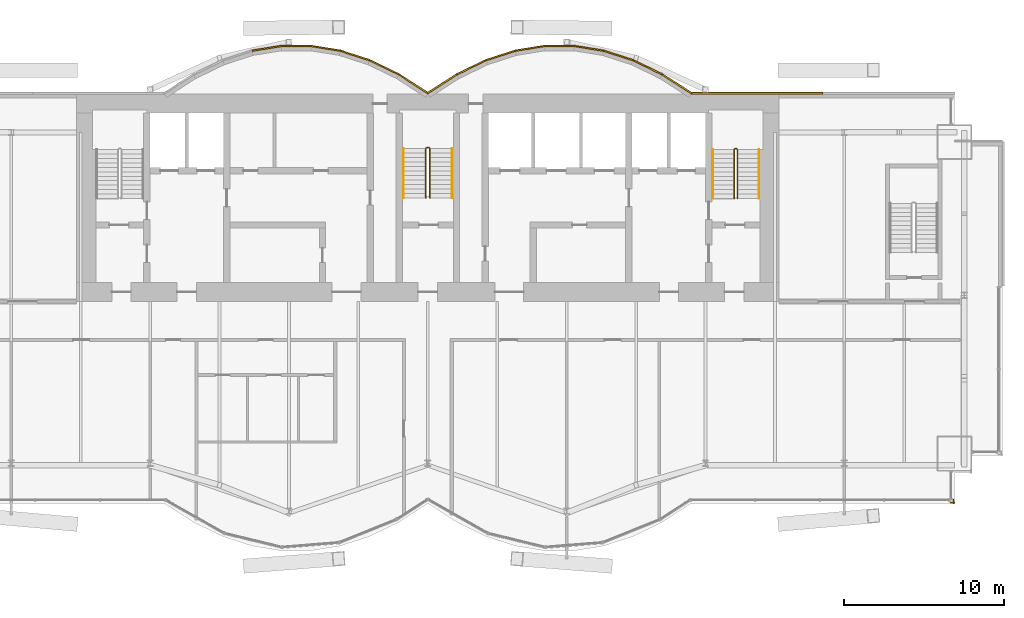
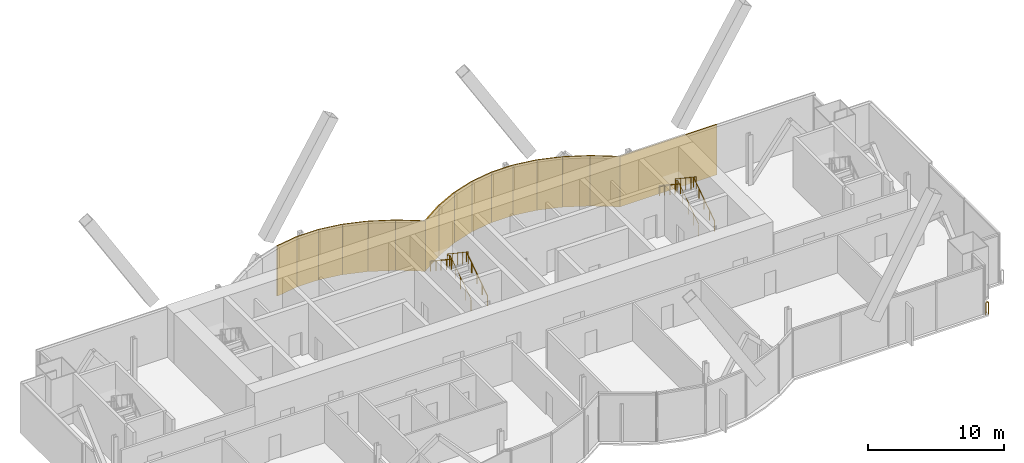
# One storey, part 18 of 19: 16 coverings, 7 railings.
"""IFC4 building model written with IfcOpenShell, lengths in metres."""

from ifc_helpers import new_model, si_unit, direction, frame, origin, origin_2d, place, context, subcontext, project, spatial, rectangle, circle, extrude, material, layer, layer_set, type_object, element, save


model = new_model("IFC4")

# Units and contexts
model_context = context("Model", 3, precision=1e-05, world=origin(), true_north=direction((0.0, 1.0)))
body_context = subcontext(model_context, "Body", "Model", "MODEL_VIEW")
ifc_project = project(units=[si_unit("LENGTHUNIT", "METRE"), si_unit("AREAUNIT", "SQUARE_METRE"), si_unit("VOLUMEUNIT", "CUBIC_METRE"), si_unit("PLANEANGLEUNIT", "RADIAN"), si_unit("MASSUNIT", "GRAM", prefix="KILO")], contexts=[model_context])

# Site, building, storey
site_placement = place(None, origin())
site = spatial("IfcSite", under=ifc_project, at=site_placement, CompositionType="ELEMENT")
building_placement = place(site_placement, origin())
building = spatial("IfcBuilding", under=site, at=building_placement, Name="Bicima Exchange Tower", CompositionType="ELEMENT")
storey_placement = place(building_placement, frame((0.0, 0.0, 324.5)))
storey = spatial("IfcBuildingStorey", under=building, at=storey_placement, Name="L73", CompositionType="ELEMENT", Elevation=324.5)

# Coverings
ifc_material_1 = material(Name="Bronze metal cladding")
ifc_layer_1 = layer(ifc_material_1, 0.004)
ifc_material_2 = material(Name="Ventilated cavity")
ifc_layer_2 = layer(ifc_material_2, 0.06)
ifc_material_3 = material(Name="Galvanised steel rail and mineral wool", Category="steel")
ifc_layer_3 = layer(ifc_material_3, 0.036)
ifc_layer_set = layer_set([ifc_layer_1, ifc_layer_2, ifc_layer_3], Name="Ventilated cavity")
covering_type = type_object("IfcCoveringType", Name="Bronze metal cladding panel 100", PredefinedType="CLADDING", material=ifc_layer_set)
covering_1_placement = place(storey_placement, frame((20.625, 0.050048828125, -0.14990234375), z_axis=(0.0, 0.0, 1.0), x_axis=(-1.0, 0.0, 0.0)))
element("IfcCovering", 1, at=covering_1_placement, inside=storey, type_object=covering_type, Name="Bronze cladding L73 1.2", PredefinedType="CLADDING", context=body_context, shape_type="SweptSolid", body=[
    extrude(rectangle(XDim=8.25, YDim=0.10009765625, at=origin_2d()), origin(), (0.0, 0.0, 1.0), 4.5),
])
covering_2_placement = place(storey_placement, frame((15.610595703125, 0.634521484375, -0.14990234375), z_axis=(0.0, 0.0, 1.0), x_axis=(-0.839790466384, 0.542910648791, 0.0)))
element("IfcCovering", 2, at=covering_2_placement, inside=storey, type_object=covering_type, Name="Bronze cladding L73 2.1", PredefinedType="CLADDING", context=body_context, shape_type="SweptSolid", body=[
    extrude(rectangle(XDim=2.18310546875, YDim=0.10009765625, at=origin_2d()), origin(), (0.0, 0.0, 1.0), 4.5),
])
covering_3_placement = place(storey_placement, frame((13.771728515625, 1.674560546875, -0.14990234375), z_axis=(0.0, 0.0, 1.0), x_axis=(-0.899818346812, 0.436264762204, 0.0)))
element("IfcCovering", 3, at=covering_3_placement, inside=storey, type_object=covering_type, Name="Bronze cladding L73 3.1", PredefinedType="CLADDING", context=body_context, shape_type="SweptSolid", body=[
    extrude(rectangle(XDim=2.03759765625, YDim=0.10009765625, at=origin_2d()), origin(), (0.0, 0.0, 1.0), 4.5),
])
covering_4_placement = place(storey_placement, frame((11.931884765625, 2.41796875, -0.14990234375), z_axis=(0.0, 0.0, 1.0), x_axis=(-0.951524642381, 0.307572519808, 0.0)))
element("IfcCovering", 4, at=covering_4_placement, inside=storey, type_object=covering_type, Name="Bronze cladding L73 4.1", PredefinedType="CLADDING", context=body_context, shape_type="SweptSolid", body=[
    extrude(rectangle(XDim=1.9267578125, YDim=0.10009765625, at=origin_2d()), origin(), (0.0, 0.0, 1.0), 4.5),
])
covering_5_placement = place(storey_placement, frame((10.09130859375, 2.8642578125, -0.14990234375), z_axis=(0.0, 0.0, 1.0), x_axis=(-0.987189786347, 0.159550386184, 0.0)))
element("IfcCovering", 5, at=covering_5_placement, inside=storey, type_object=covering_type, Name="Bronze cladding L73 5.1", PredefinedType="CLADDING", context=body_context, shape_type="SweptSolid", body=[
    extrude(rectangle(XDim=1.857177734375, YDim=0.10009765625, at=origin_2d()), origin(), (0.0, 0.0, 1.0), 4.5),
])
covering_6_placement = place(storey_placement, frame((8.25, 3.012939453125, -0.14990234375), z_axis=(0.0, 0.0, 1.0), x_axis=(-1.0, 0.0, 0.0)))
element("IfcCovering", 6, at=covering_6_placement, inside=storey, type_object=covering_type, Name="Bronze cladding L73 6.1", PredefinedType="CLADDING", context=body_context, shape_type="SweptSolid", body=[
    extrude(rectangle(XDim=1.83349609375, YDim=0.10009765625, at=origin_2d()), origin(), (0.0, 0.0, 1.0), 4.5),
])
covering_7_placement = place(storey_placement, frame((6.40869140625, 2.8642578125, -0.14990234375), z_axis=(0.0, 0.0, 1.0), x_axis=(-0.987189786347, -0.159550386184, 0.0)))
element("IfcCovering", 7, at=covering_7_placement, inside=storey, type_object=covering_type, Name="Bronze cladding L73 7.1", PredefinedType="CLADDING", context=body_context, shape_type="SweptSolid", body=[
    extrude(rectangle(XDim=1.857177734375, YDim=0.10009765625, at=origin_2d()), origin(), (0.0, 0.0, 1.0), 4.5),
])
covering_8_placement = place(storey_placement, frame((4.568115234375, 2.41796875, -0.14990234375), z_axis=(0.0, 0.0, 1.0), x_axis=(-0.951524642381, -0.307572519808, 0.0)))
element("IfcCovering", 8, at=covering_8_placement, inside=storey, type_object=covering_type, Name="Bronze cladding L73 8.1", PredefinedType="CLADDING", context=body_context, shape_type="SweptSolid", body=[
    extrude(rectangle(XDim=1.9267578125, YDim=0.10009765625, at=origin_2d()), origin(), (0.0, 0.0, 1.0), 4.5),
])
covering_9_placement = place(storey_placement, frame((2.728271484375, 1.674560546875, -0.14990234375), z_axis=(0.0, 0.0, 1.0), x_axis=(-0.899818346812, -0.436264762204, 0.0)))
element("IfcCovering", 9, at=covering_9_placement, inside=storey, type_object=covering_type, Name="Bronze cladding L73 9.1", PredefinedType="CLADDING", context=body_context, shape_type="SweptSolid", body=[
    extrude(rectangle(XDim=2.03759765625, YDim=0.10009765625, at=origin_2d()), origin(), (0.0, 0.0, 1.0), 4.5),
])
for number, where, z_axis, x_axis, name in (
    (10, (0.889404296875, 0.634521484375, -0.14990234375), (0.0, 0.0, 1.0), (-0.839790466384, -0.542910648791, 0.0), "Bronze cladding L73 10.1"),
    (11, (-0.889404296875, 0.634521484375, -0.14990234375), (0.0, 0.0, 1.0), (-0.839790466384, 0.542910648791, 0.0), "Bronze cladding L73 11.1"),
):
    element("IfcCovering", number, at=place(storey_placement, frame(where, z_axis=z_axis, x_axis=x_axis)), inside=storey, type_object=covering_type, Name=name, PredefinedType="CLADDING", context=body_context, shape_type="SweptSolid", body=[
        extrude(rectangle(XDim=2.18310546875, YDim=0.10009765625, at=origin_2d()), origin(), (0.0, 0.0, 1.0), 4.5),
    ])
covering_10_placement = place(storey_placement, frame((-2.728271484375, 1.674560546875, -0.14990234375), z_axis=(0.0, 0.0, 1.0), x_axis=(-0.899818346812, 0.436264762204, 0.0)))
element("IfcCovering", 12, at=covering_10_placement, inside=storey, type_object=covering_type, Name="Bronze cladding L73 12.1", PredefinedType="CLADDING", context=body_context, shape_type="SweptSolid", body=[
    extrude(rectangle(XDim=2.03759765625, YDim=0.10009765625, at=origin_2d()), origin(), (0.0, 0.0, 1.0), 4.5),
])
covering_11_placement = place(storey_placement, frame((-4.568115234375, 2.41796875, -0.14990234375), z_axis=(0.0, 0.0, 1.0), x_axis=(-0.951524642381, 0.307572519808, 0.0)))
element("IfcCovering", 13, at=covering_11_placement, inside=storey, type_object=covering_type, Name="Bronze cladding L73 13.1", PredefinedType="CLADDING", context=body_context, shape_type="SweptSolid", body=[
    extrude(rectangle(XDim=1.9267578125, YDim=0.10009765625, at=origin_2d()), origin(), (0.0, 0.0, 1.0), 4.5),
])
covering_12_placement = place(storey_placement, frame((-6.40869140625, 2.8642578125, -0.14990234375), z_axis=(0.0, 0.0, 1.0), x_axis=(-0.987189786347, 0.159550386184, 0.0)))
element("IfcCovering", 14, at=covering_12_placement, inside=storey, type_object=covering_type, Name="Bronze cladding L73 14.1", PredefinedType="CLADDING", context=body_context, shape_type="SweptSolid", body=[
    extrude(rectangle(XDim=1.857177734375, YDim=0.10009765625, at=origin_2d()), origin(), (0.0, 0.0, 1.0), 4.5),
])
covering_13_placement = place(storey_placement, frame((-8.25, 3.012939453125, -0.14990234375), z_axis=(0.0, 0.0, 1.0), x_axis=(-1.0, 0.0, 0.0)))
element("IfcCovering", 15, at=covering_13_placement, inside=storey, type_object=covering_type, Name="Bronze cladding L73 15.1", PredefinedType="CLADDING", context=body_context, shape_type="SweptSolid", body=[
    extrude(rectangle(XDim=1.83349609375, YDim=0.10009765625, at=origin_2d()), origin(), (0.0, 0.0, 1.0), 4.5),
])
covering_14_placement = place(storey_placement, frame((-10.09130859375, 2.8642578125, -0.14990234375), z_axis=(0.0, 0.0, 1.0), x_axis=(-0.987189786347, -0.159550386184, 0.0)))
element("IfcCovering", 16, at=covering_14_placement, inside=storey, type_object=covering_type, Name="Bronze cladding L73 16.1", PredefinedType="CLADDING", context=body_context, shape_type="SweptSolid", body=[
    extrude(rectangle(XDim=1.857177734375, YDim=0.10009765625, at=origin_2d()), origin(), (0.0, 0.0, 1.0), 4.5),
])

# Railings
ifc_material_4 = material(Name="Stainless steel and bonded safety glass", Category="steel")
railing_type_1 = type_object("IfcRailingType", Name="Edge guard 1100", PredefinedType="GUARDRAIL", material=ifc_material_4)
railing_1_placement = place(storey_placement, frame((32.949951171875, -25.4150390625, 0.0)))
element("IfcRailing", 17, at=railing_1_placement, inside=storey, type_object=railing_type_1, Name="Edge guard L73 382", PredefinedType="GUARDRAIL", context=body_context, shape_type="SweptSolid", body=[
    extrude(circle(Radius=0.02392578125, at=origin_2d()), frame((0.0, 0.0, 1.076171875), z_axis=(0.0, -1.0, 0.0), x_axis=(1.0, 0.0, 0.0)), (0.0, 0.0, 1.0), 0.237060546875),
    extrude(circle(Radius=0.02392578125, at=origin_2d()), frame((0.0, -0.237060546875, 1.076171875), z_axis=(0.707106781187, 0.707106781187, 0.0), x_axis=(-0.707106781187, 0.707106781187, 0.0)), (0.0, 0.0, 1.0), 0.07080078125),
    extrude(circle(Radius=0.02392578125, at=origin_2d()), frame((0.050048828125, -0.18701171875, 1.076171875), z_axis=(-1.0, 0.0, 0.0), x_axis=(0.0, -1.0, 0.0)), (0.0, 0.0, 1.0), 0.25),
    extrude(circle(Radius=0.02099609375, at=origin_2d()), origin(), (0.0, 0.0, 1.0), 1.052001953125),
    extrude(circle(Radius=0.02099609375, at=origin_2d()), frame((0.0, -0.237060546875, 0.0)), (0.0, 0.0, 1.0), 1.052001953125),
    extrude(circle(Radius=0.02099609375, at=origin_2d()), frame((0.050048828125, -0.18701171875, 0.0)), (0.0, 0.0, 1.0), 1.052001953125),
    extrude(circle(Radius=0.02099609375, at=origin_2d()), frame((-0.199951171875, -0.18701171875, 0.0)), (0.0, 0.0, 1.0), 1.052001953125),
])
ifc_material_5 = material(Name="Stainless steel", Category="steel")
railing_type_2 = type_object("IfcRailingType", Name="Stair guard 1100", PredefinedType="GUARDRAIL", material=ifc_material_5)
railing_2_placement = place(storey_placement, frame((0.125, -6.5, 0.1875)))
element("IfcRailing", 18, at=railing_2_placement, inside=storey, type_object=railing_type_2, Name="L73 ST-C stair guard 1", PredefinedType="GUARDRAIL", context=body_context, shape_type="SweptSolid", body=[
    extrude(circle(Radius=0.02392578125, at=origin_2d()), frame((0.0, 0.0, 1.076171875), z_axis=(0.0, 0.830913701846, 0.55640131208), x_axis=(-1.0, 0.0, 0.0)), (0.0, 0.0, 1.0), 3.706787109375),
    extrude(circle(Radius=0.02392578125, at=origin_2d()), frame((0.0, 3.080078125, 3.138671875), z_axis=(-0.708833529934, 0.705375805398, 0.0), x_axis=(-0.705375805398, -0.708833529934, 0.0)), (0.0, 0.0, 1.0), 0.070556640625),
    extrude(circle(Radius=0.02392578125, at=origin_2d()), frame((-0.050048828125, 3.1298828125, 3.138671875), z_axis=(-1.0, 0.0, 0.0), x_axis=(0.0, -1.0, 0.0)), (0.0, 0.0, 1.0), 0.14990234375),
    extrude(circle(Radius=0.02392578125, at=origin_2d()), frame((-0.199951171875, 3.1298828125, 3.138671875), z_axis=(-0.249802250048, -0.248583702486, 0.935844527007), x_axis=(0.705375805398, -0.708833529934, 0.0)), (0.0, 0.0, 1.0), 0.200439453125),
    extrude(circle(Radius=0.02392578125, at=origin_2d()), frame((-0.25, 3.080078125, 3.326171875), z_axis=(0.0, -0.830913701846, 0.55640131208), x_axis=(1.0, 0.0, 0.0)), (0.0, 0.0, 1.0), 3.706787109375),
    extrude(circle(Radius=0.02099609375, at=origin_2d()), origin(), (0.0, 0.0, 1.0), 1.052001953125),
    extrude(circle(Radius=0.02099609375, at=origin_2d()), frame((0.0, 0.77001953125, 0.515625)), (0.0, 0.0, 1.0), 1.052001953125),
    extrude(circle(Radius=0.02099609375, at=origin_2d()), frame((0.0, 1.5400390625, 1.03125)), (0.0, 0.0, 1.0), 1.052001953125),
    extrude(circle(Radius=0.02099609375, at=origin_2d()), frame((0.0, 2.31005859375, 1.546875)), (0.0, 0.0, 1.0), 1.052001953125),
    extrude(circle(Radius=0.02099609375, at=origin_2d()), frame((0.0, 3.080078125, 2.0625)), (0.0, 0.0, 1.0), 1.052001953125),
    extrude(circle(Radius=0.02099609375, at=origin_2d()), frame((-0.050048828125, 3.1298828125, 2.0625)), (0.0, 0.0, 1.0), 1.052001953125),
    extrude(circle(Radius=0.02099609375, at=origin_2d()), frame((-0.199951171875, 3.1298828125, 2.0625)), (0.0, 0.0, 1.0), 1.052001953125),
    extrude(circle(Radius=0.02099609375, at=origin_2d()), frame((-0.25, 3.080078125, 2.25)), (0.0, 0.0, 1.0), 1.052001953125),
    extrude(circle(Radius=0.02099609375, at=origin_2d()), frame((-0.25, 2.31005859375, 2.765625)), (0.0, 0.0, 1.0), 1.052001953125),
    extrude(circle(Radius=0.02099609375, at=origin_2d()), frame((-0.25, 1.5400390625, 3.28125)), (0.0, 0.0, 1.0), 1.052001953125),
    extrude(circle(Radius=0.02099609375, at=origin_2d()), frame((-0.25, 0.77001953125, 3.796875)), (0.0, 0.0, 1.0), 1.052001953125),
    extrude(circle(Radius=0.02099609375, at=origin_2d()), frame((-0.25, 0.0, 4.3125)), (0.0, 0.0, 1.0), 1.052001953125),
])
railing_3_placement = place(storey_placement, frame((19.39990234375, -6.550048828125, 0.1875)))
element("IfcRailing", 19, at=railing_3_placement, inside=storey, type_object=railing_type_2, Name="L73 ST-E stair guard 1", PredefinedType="GUARDRAIL", context=body_context, shape_type="SweptSolid", body=[
    extrude(circle(Radius=0.02392578125, at=origin_2d()), frame((0.0, 0.0, 1.076171875), z_axis=(0.0, 0.830913701846, 0.55640131208), x_axis=(-1.0, 0.0, 0.0)), (0.0, 0.0, 1.0), 3.706787109375),
    extrude(circle(Radius=0.02392578125, at=origin_2d()), frame((0.0, 3.080078125, 3.138671875), z_axis=(-0.705375805398, 0.708833529934, 0.0), x_axis=(-0.708833529934, -0.705375805398, 0.0)), (0.0, 0.0, 1.0), 0.070556640625),
    extrude(circle(Radius=0.02392578125, at=origin_2d()), frame((-0.0498046875, 3.130126953125, 3.138671875), z_axis=(-1.0, 0.0, 0.0), x_axis=(0.0, -1.0, 0.0)), (0.0, 0.0, 1.0), 0.10009765625),
    extrude(circle(Radius=0.02392578125, at=origin_2d()), frame((-0.14990234375, 3.130126953125, 3.138671875), z_axis=(-0.249726431254, -0.249726431254, 0.935560483917), x_axis=(0.707106781187, -0.707106781187, 0.0)), (0.0, 0.0, 1.0), 0.200439453125),
    extrude(circle(Radius=0.02392578125, at=origin_2d()), frame((-0.199951171875, 3.080078125, 3.326171875), z_axis=(0.0, -0.830913701846, 0.55640131208), x_axis=(1.0, 0.0, 0.0)), (0.0, 0.0, 1.0), 3.706787109375),
    extrude(circle(Radius=0.02099609375, at=origin_2d()), origin(), (0.0, 0.0, 1.0), 1.052001953125),
    extrude(circle(Radius=0.02099609375, at=origin_2d()), frame((0.0, 0.77001953125, 0.515625)), (0.0, 0.0, 1.0), 1.052001953125),
    extrude(circle(Radius=0.02099609375, at=origin_2d()), frame((0.0, 1.5400390625, 1.03125)), (0.0, 0.0, 1.0), 1.052001953125),
    extrude(circle(Radius=0.02099609375, at=origin_2d()), frame((0.0, 2.31005859375, 1.546875)), (0.0, 0.0, 1.0), 1.052001953125),
    extrude(circle(Radius=0.02099609375, at=origin_2d()), frame((0.0, 3.080078125, 2.0625)), (0.0, 0.0, 1.0), 1.052001953125),
    extrude(circle(Radius=0.02099609375, at=origin_2d()), frame((-0.0498046875, 3.130126953125, 2.0625)), (0.0, 0.0, 1.0), 1.052001953125),
    extrude(circle(Radius=0.02099609375, at=origin_2d()), frame((-0.14990234375, 3.130126953125, 2.0625)), (0.0, 0.0, 1.0), 1.052001953125),
    extrude(circle(Radius=0.02099609375, at=origin_2d()), frame((-0.199951171875, 3.080078125, 2.25)), (0.0, 0.0, 1.0), 1.052001953125),
    extrude(circle(Radius=0.02099609375, at=origin_2d()), frame((-0.199951171875, 2.31005859375, 2.765625)), (0.0, 0.0, 1.0), 1.052001953125),
    extrude(circle(Radius=0.02099609375, at=origin_2d()), frame((-0.199951171875, 1.5400390625, 3.28125)), (0.0, 0.0, 1.0), 1.052001953125),
    extrude(circle(Radius=0.02099609375, at=origin_2d()), frame((-0.199951171875, 0.77001953125, 3.796875)), (0.0, 0.0, 1.0), 1.052001953125),
    extrude(circle(Radius=0.02099609375, at=origin_2d()), frame((-0.199951171875, 0.0, 4.3125)), (0.0, 0.0, 1.0), 1.052001953125),
])
railing_type_3 = type_object("IfcRailingType", Name="Stair handrail 900", PredefinedType="HANDRAIL", material=ifc_material_5)
railing_4_placement = place(storey_placement, frame((1.52490234375, -6.5, 0.1875)))
element("IfcRailing", 20, at=railing_4_placement, inside=storey, type_object=railing_type_3, Name="L73 ST-C stair handrail 1", PredefinedType="HANDRAIL", context=body_context, shape_type="SweptSolid", body=[
    extrude(circle(Radius=0.02392578125, at=origin_2d()), frame((0.0, 0.0, 0.8759765625), z_axis=(0.0, 0.830913701846, 0.55640131208), x_axis=(-1.0, 0.0, 0.0)), (0.0, 0.0, 1.0), 3.706787109375),
    extrude(circle(Radius=0.02099609375, at=origin_2d()), origin(), (0.0, 0.0, 1.0), 0.851806640625),
    extrude(circle(Radius=0.02099609375, at=origin_2d()), frame((0.0, 0.77001953125, 0.515625)), (0.0, 0.0, 1.0), 0.851806640625),
    extrude(circle(Radius=0.02099609375, at=origin_2d()), frame((0.0, 1.5400390625, 1.03125)), (0.0, 0.0, 1.0), 0.851806640625),
    extrude(circle(Radius=0.02099609375, at=origin_2d()), frame((0.0, 2.31005859375, 1.546875)), (0.0, 0.0, 1.0), 0.851806640625),
    extrude(circle(Radius=0.02099609375, at=origin_2d()), frame((0.0, 3.080078125, 2.0625)), (0.0, 0.0, 1.0), 0.851806640625),
])
railing_5_placement = place(storey_placement, frame((-1.52490234375, -3.419921875, 2.47900390625)))
element("IfcRailing", 21, at=railing_5_placement, inside=storey, type_object=railing_type_3, Name="L73 ST-C stair handrail 2", PredefinedType="HANDRAIL", context=body_context, shape_type="SweptSolid", body=[
    extrude(circle(Radius=0.02392578125, at=origin_2d()), frame((0.0, 0.0, 0.8759765625), z_axis=(0.0, -0.830913701846, 0.55640131208), x_axis=(1.0, 0.0, 0.0)), (0.0, 0.0, 1.0), 3.706787109375),
    extrude(circle(Radius=0.02099609375, at=origin_2d()), origin(), (0.0, 0.0, 1.0), 0.851806640625),
    extrude(circle(Radius=0.02099609375, at=origin_2d()), frame((0.0, -0.77001953125, 0.515625)), (0.0, 0.0, 1.0), 0.851806640625),
    extrude(circle(Radius=0.02099609375, at=origin_2d()), frame((0.0, -1.5400390625, 1.03125)), (0.0, 0.0, 1.0), 0.851806640625),
    extrude(circle(Radius=0.02099609375, at=origin_2d()), frame((0.0, -2.31005859375, 1.546875)), (0.0, 0.0, 1.0), 0.851806640625),
    extrude(circle(Radius=0.02099609375, at=origin_2d()), frame((0.0, -3.080078125, 2.0625)), (0.0, 0.0, 1.0), 0.851806640625),
])
railing_6_placement = place(storey_placement, frame((20.75, -6.550048828125, 0.1875)))
element("IfcRailing", 22, at=railing_6_placement, inside=storey, type_object=railing_type_3, Name="L73 ST-E stair handrail 1", PredefinedType="HANDRAIL", context=body_context, shape_type="SweptSolid", body=[
    extrude(circle(Radius=0.02392578125, at=origin_2d()), frame((0.0, 0.0, 0.8759765625), z_axis=(0.0, 0.830913701846, 0.55640131208), x_axis=(-1.0, 0.0, 0.0)), (0.0, 0.0, 1.0), 3.706787109375),
    extrude(circle(Radius=0.02099609375, at=origin_2d()), origin(), (0.0, 0.0, 1.0), 0.851806640625),
    extrude(circle(Radius=0.02099609375, at=origin_2d()), frame((0.0, 0.77001953125, 0.515625)), (0.0, 0.0, 1.0), 0.851806640625),
    extrude(circle(Radius=0.02099609375, at=origin_2d()), frame((0.0, 1.5400390625, 1.03125)), (0.0, 0.0, 1.0), 0.851806640625),
    extrude(circle(Radius=0.02099609375, at=origin_2d()), frame((0.0, 2.31005859375, 1.546875)), (0.0, 0.0, 1.0), 0.851806640625),
    extrude(circle(Radius=0.02099609375, at=origin_2d()), frame((0.0, 3.080078125, 2.0625)), (0.0, 0.0, 1.0), 0.851806640625),
])
railing_7_placement = place(storey_placement, frame((17.85009765625, -3.469970703125, 2.47900390625)))
element("IfcRailing", 23, at=railing_7_placement, inside=storey, type_object=railing_type_3, Name="L73 ST-E stair handrail 2", PredefinedType="HANDRAIL", context=body_context, shape_type="SweptSolid", body=[
    extrude(circle(Radius=0.02392578125, at=origin_2d()), frame((0.0, 0.0, 0.8759765625), z_axis=(0.0, -0.830913701846, 0.55640131208), x_axis=(1.0, 0.0, 0.0)), (0.0, 0.0, 1.0), 3.706787109375),
    extrude(circle(Radius=0.02099609375, at=origin_2d()), origin(), (0.0, 0.0, 1.0), 0.851806640625),
    extrude(circle(Radius=0.02099609375, at=origin_2d()), frame((0.0, -0.77001953125, 0.515625)), (0.0, 0.0, 1.0), 0.851806640625),
    extrude(circle(Radius=0.02099609375, at=origin_2d()), frame((0.0, -1.5400390625, 1.03125)), (0.0, 0.0, 1.0), 0.851806640625),
    extrude(circle(Radius=0.02099609375, at=origin_2d()), frame((0.0, -2.31005859375, 1.546875)), (0.0, 0.0, 1.0), 0.851806640625),
    extrude(circle(Radius=0.02099609375, at=origin_2d()), frame((0.0, -3.080078125, 2.0625)), (0.0, 0.0, 1.0), 0.851806640625),
])

save(model, "model.ifc")
